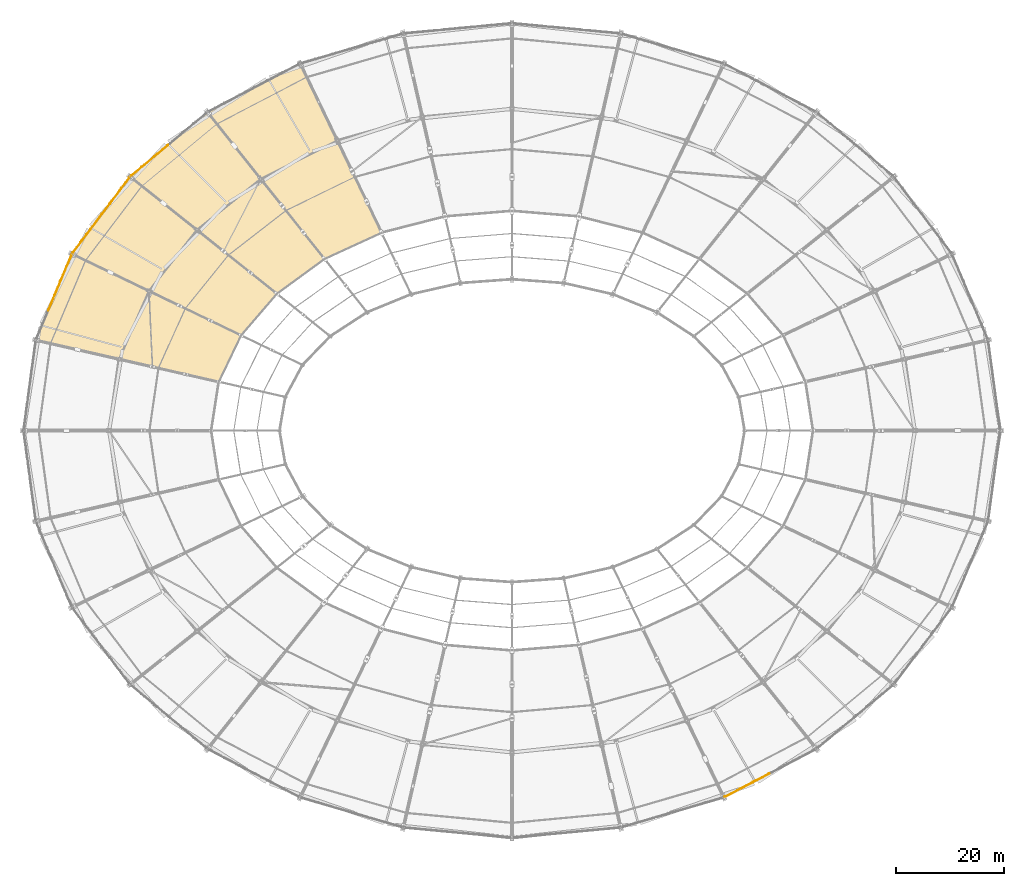
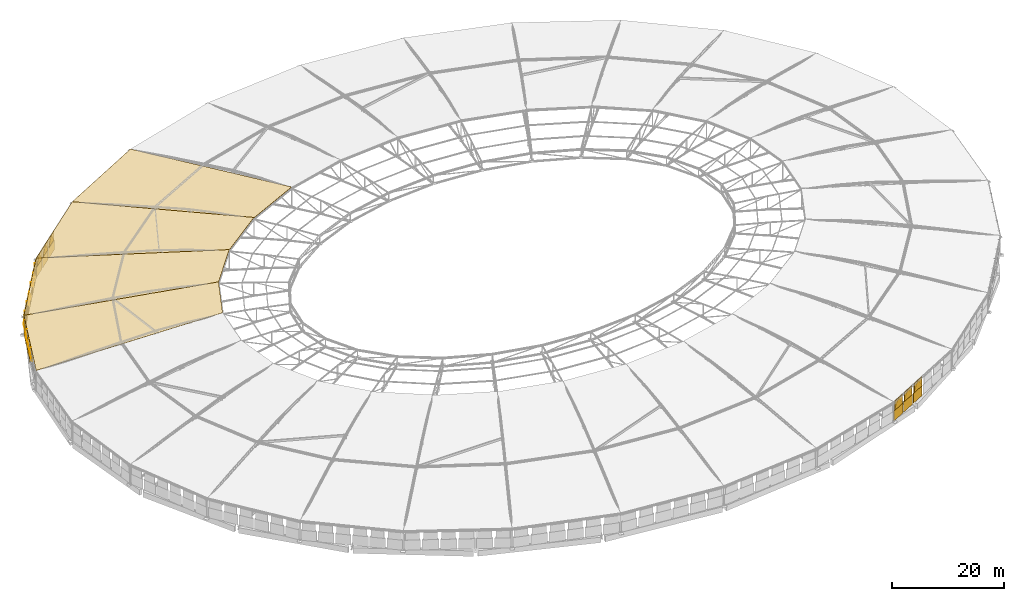
# One storey, part 103 of 108: 35 coverings, 16 shading devices.
"""IFC4 building model written with IfcOpenShell, lengths in metres."""

from ifc_helpers import new_model, si_unit, direction, frame, origin, origin_2d, place, context, subcontext, project, spatial, polyline, rectangle, outline, extrude, material, layer, layer_set, type_object, element, save


model = new_model("IFC4")

# Units and contexts
model_context = context("Model", 3, precision=1e-05, world=origin(), true_north=direction((0.0, 1.0)))
body_context = subcontext(model_context, "Body", "Model", "MODEL_VIEW")
ifc_project = project(units=[si_unit("LENGTHUNIT", "METRE"), si_unit("AREAUNIT", "SQUARE_METRE"), si_unit("VOLUMEUNIT", "CUBIC_METRE"), si_unit("PLANEANGLEUNIT", "RADIAN"), si_unit("MASSUNIT", "GRAM", prefix="KILO")], contexts=[model_context])

# Site, building, storey
site_placement = place(None, origin())
site = spatial("IfcSite", under=ifc_project, at=site_placement, CompositionType="ELEMENT")
building_placement = place(site_placement, origin())
building = spatial("IfcBuilding", under=site, at=building_placement, Name="Zevraka Park Crest Stadium", CompositionType="ELEMENT")
storey_placement = place(building_placement, frame((0.0, 0.0, 29.39990234375)))
storey = spatial("IfcBuildingStorey", under=building, at=storey_placement, Name="RF", CompositionType="ELEMENT", Elevation=29.39990234375)

# Coverings
ifc_material_1 = material(Name="Architectural golden-bronze perforated aluminium", Category="aluminium")
ifc_layer_1 = layer(ifc_material_1, 0.034912109375)
ifc_layer_set_1 = layer_set([ifc_layer_1], Name="Architectural golden-bronze perforated aluminium")
covering_type_1 = type_object("IfcCoveringType", Name="CLD01", PredefinedType="CLADDING", material=ifc_layer_set_1)
covering_1_placement = place(storey_placement, frame((48.455078125, 144.8310546875, 0.0), z_axis=(-0.640293732957, 0.768130155336, 0.0), x_axis=(-0.768130155336, -0.640293732957, 0.0)))
element("IfcCovering", 1, at=covering_1_placement, inside=storey, type_object=covering_type_1, Name="Canopy Crown Perforated Bronze Fascia 11-4A", PredefinedType="CLADDING", context=body_context, shape_type="SweptSolid", body=[
    extrude(outline(polyline([(0.0, 0.0), (2.855134926211494, 0.0), (2.855134926211494, 2.2001953125), (0.0, 2.2001953125), (0.0, 0.0)])), origin(), (0.0, 0.0, -1.0), 0.044921875),
])
covering_2_placement = place(storey_placement, frame((48.455078125, 144.8310546875, 2.2001953125), z_axis=(0.640293721206, -0.768130141238, 0.000191589982), x_axis=(-0.768130155336, -0.640293732957, 0.0)))
element("IfcCovering", 2, at=covering_2_placement, inside=storey, type_object=covering_type_1, Name="Canopy Crown Triangular Bronze Screen 11-4B", PredefinedType="CLADDING", context=body_context, shape_type="SweptSolid", body=[
    extrude(outline(polyline([(0.0, 0.0), (2.855134926211494, -5.421010862427522e-20), (1.4280362925462593, -2.0397949593120925), (0.0, 0.0)])), origin(), (0.0, 0.0, -1.0), 0.044921875),
])
covering_3_placement = place(storey_placement, frame((46.072021484375, 142.843994140625, 0.0), z_axis=(-0.640243276272, 0.768172211934, 0.0), x_axis=(-0.768172211934, -0.640243276272, 0.0)))
element("IfcCovering", 3, at=covering_3_placement, inside=storey, type_object=covering_type_1, Name="Canopy Crown Perforated Bronze Fascia 11-5A", PredefinedType="CLADDING", context=body_context, shape_type="SweptSolid", body=[
    extrude(outline(polyline([(0.0, 0.0), (2.8549786106584403, 0.0), (2.8549786106584403, 2.2001953125), (0.0, 2.2001953125), (0.0, 0.0)])), origin(), (0.0, 0.0, -1.0), 0.044921875),
])
covering_4_placement = place(storey_placement, frame((46.072021484375, 142.843994140625, 2.2001953125), z_axis=(-0.640243258208, 0.768172190261, 0.00023754569), x_axis=(-0.768172211934, -0.640243276272, 0.0)))
element("IfcCovering", 4, at=covering_4_placement, inside=storey, type_object=covering_type_1, Name="Canopy Crown Triangular Bronze Screen 11-5B", PredefinedType="CLADDING", context=body_context, shape_type="SweptSolid", body=[
    extrude(outline(polyline([(0.0, 0.0), (2.8549786106584403, 0.0), (1.4270986049162075, 2.03979497942573), (0.0, 0.0)])), origin(), (0.0, 0.0, -1.0), 0.044921875),
])
covering_5_placement = place(storey_placement, frame((43.68896484375, 140.85693359375, 0.0), z_axis=(-0.640487107171, 0.767968922254, 0.0), x_axis=(-0.767968922254, -0.640487107171, 0.0)))
element("IfcCovering", 5, at=covering_5_placement, inside=storey, type_object=covering_type_1, Name="Canopy Crown Perforated Bronze Fascia 11-6A", PredefinedType="CLADDING", context=body_context, shape_type="SweptSolid", body=[
    extrude(outline(polyline([(0.0, 0.0), (2.8554164500737182, 0.0), (2.8554164500737182, 2.2001953125), (0.0, 2.2001953125), (0.0, 0.0)])), origin(), (0.0, 0.0, -1.0), 0.044921875),
])
covering_6_placement = place(storey_placement, frame((43.68896484375, 140.85693359375, 2.2001953125), z_axis=(-0.640487105298, 0.767968920008, 7.6474936e-05), x_axis=(-0.767968922254, -0.640487107171, 0.0)))
element("IfcCovering", 6, at=covering_6_placement, inside=storey, type_object=covering_type_1, Name="Canopy Crown Triangular Bronze Screen 11-6B", PredefinedType="CLADDING", context=body_context, shape_type="SweptSolid", body=[
    extrude(outline(polyline([(0.0, 0.0), (2.8554164500737182, -1.3552527156068805e-20), (1.4284741321688013, 2.039794927839785), (0.0, 0.0)])), origin(), (0.0, 0.0, -1.0), 0.044921875),
])
covering_7_placement = place(storey_placement, frame((41.3291015625, 138.85400390625, 0.0), z_axis=(-0.798693974654, 0.601737430157, 0.0), x_axis=(-0.601737430157, -0.798693974654, 0.0)))
element("IfcCovering", 7, at=covering_7_placement, inside=storey, type_object=covering_type_1, Name="Canopy Crown Perforated Bronze Fascia 12-1A", PredefinedType="CLADDING", context=body_context, shape_type="SweptSolid", body=[
    extrude(outline(polyline([(0.0, 0.0), (2.7406803021130823, 0.0), (2.7406803021130823, 2.2001953125), (0.0, 2.2001953125), (0.0, 0.0)])), origin(), (0.0, 0.0, -1.0), 0.044921875),
])
covering_8_placement = place(storey_placement, frame((41.3291015625, 138.85400390625, 2.2001953125), z_axis=(0.798693916065, -0.601737386016, 0.000383029271), x_axis=(-0.601737430157, -0.798693974654, 0.0)))
element("IfcCovering", 8, at=covering_8_placement, inside=storey, type_object=covering_type_1, Name="Canopy Crown Triangular Bronze Screen 12-1B", PredefinedType="CLADDING", context=body_context, shape_type="SweptSolid", body=[
    extrude(outline(polyline([(0.0, 0.0), (2.7406803021130823, 0.0), (1.3703174351449408, -2.0397950715056243), (0.0, 0.0)])), origin(), (0.0, 0.0, -1.0), 0.044921875),
])
covering_9_placement = place(storey_placement, frame((39.535888671875, 136.47412109375, 0.0), z_axis=(-0.798769034378, 0.601637789471, 0.0), x_axis=(-0.601637789471, -0.798769034378, 0.0)))
element("IfcCovering", 9, at=covering_9_placement, inside=storey, type_object=covering_type_1, Name="Canopy Crown Perforated Bronze Fascia 12-2A", PredefinedType="CLADDING", context=body_context, shape_type="SweptSolid", body=[
    extrude(outline(polyline([(0.0, 0.0), (2.740728408532874, 0.0), (2.740728408532874, 2.2001953125), (0.0, 2.2001953125), (0.0, 0.0)])), origin(), (0.0, 0.0, -1.0), 0.044921875),
])
covering_10_placement = place(storey_placement, frame((39.535888671875, 136.47412109375, 2.2001953125), z_axis=(-0.798769031613, 0.601637787389, 8.3193463e-05), x_axis=(-0.601637789471, -0.798769034378, 0.0)))
element("IfcCovering", 10, at=covering_10_placement, inside=storey, type_object=covering_type_1, Name="Canopy Crown Triangular Bronze Screen 12-2B", PredefinedType="CLADDING", context=body_context, shape_type="SweptSolid", body=[
    extrude(outline(polyline([(0.0, 0.0), (2.740728408532874, 0.0), (1.3697779178576215, 2.0397949289338655), (0.0, 0.0)])), origin(), (0.0, 0.0, -1.0), 0.044921875),
])
covering_11_placement = place(storey_placement, frame((37.742919921875, 134.093994140625, 0.0), z_axis=(-0.798736787281, 0.601680600189, 0.0), x_axis=(-0.601680600189, -0.798736787281, 0.0)))
element("IfcCovering", 11, at=covering_11_placement, inside=storey, type_object=covering_type_1, Name="Canopy Crown Perforated Bronze Fascia 12-3A", PredefinedType="CLADDING", context=body_context, shape_type="SweptSolid", body=[
    extrude(outline(polyline([(0.0, 0.0), (2.7405334004978643, 0.0), (2.7405334004978643, 2.2001953125), (0.0, 2.2001953125), (0.0, 0.0)])), origin(), (0.0, 0.0, -1.0), 0.044921875),
])
covering_12_placement = place(storey_placement, frame((37.742919921875, 134.093994140625, 2.2001953125), z_axis=(0.798736742401, -0.601680566381, 0.00033522856), x_axis=(-0.601680600189, -0.798736787281, 0.0)))
element("IfcCovering", 12, at=covering_12_placement, inside=storey, type_object=covering_type_1, Name="Canopy Crown Triangular Bronze Screen 12-3B", PredefinedType="CLADDING", context=body_context, shape_type="SweptSolid", body=[
    extrude(outline(polyline([(0.0, 0.0), (2.7405334004978643, -1.0842021724855044e-19), (1.3701704814075786, -2.0397950364892377), (0.0, 0.0)])), origin(), (0.0, 0.0, -1.0), 0.044921875),
])
covering_13_placement = place(storey_placement, frame((35.949951171875, 131.715087890625, 0.0), z_axis=(-0.798769034378, 0.601637789471, 0.0), x_axis=(-0.601637789471, -0.798769034378, 0.0)))
element("IfcCovering", 13, at=covering_13_placement, inside=storey, type_object=covering_type_1, Name="Canopy Crown Perforated Bronze Fascia 12-4A", PredefinedType="CLADDING", context=body_context, shape_type="SweptSolid", body=[
    extrude(outline(polyline([(0.0, 0.0), (2.740728408532874, 0.0), (2.740728408532874, 2.2001953125), (0.0, 2.2001953125), (0.0, 0.0)])), origin(), (0.0, 0.0, -1.0), 0.044921875),
])
covering_14_placement = place(storey_placement, frame((35.949951171875, 131.715087890625, 2.2001953125), z_axis=(-0.798768998619, 0.601637762538, 0.000299221381), x_axis=(-0.601637789471, -0.798769034378, 0.0)))
element("IfcCovering", 14, at=covering_14_placement, inside=storey, type_object=covering_type_1, Name="Canopy Crown Triangular Bronze Screen 12-4B", PredefinedType="CLADDING", context=body_context, shape_type="SweptSolid", body=[
    extrude(outline(polyline([(0.0, 0.0), (2.740728408532874, 0.0), (1.3703629537714723, 2.0397950131899294), (0.0, 0.0)])), origin(), (0.0, 0.0, -1.0), 0.044921875),
])
covering_15_placement = place(storey_placement, frame((34.156982421875, 129.3349609375, 0.0), z_axis=(-0.798736787281, 0.601680600189, 0.0), x_axis=(-0.601680600189, -0.798736787281, 0.0)))
element("IfcCovering", 15, at=covering_15_placement, inside=storey, type_object=covering_type_1, Name="Canopy Crown Perforated Bronze Fascia 12-5A", PredefinedType="CLADDING", context=body_context, shape_type="SweptSolid", body=[
    extrude(outline(polyline([(0.0, 0.0), (2.7405334004978643, 0.0), (2.7405334004978643, 2.2001953125), (0.0, 2.2001953125), (0.0, 0.0)])), origin(), (0.0, 0.0, -1.0), 0.044921875),
])
covering_16_placement = place(storey_placement, frame((34.156982421875, 129.3349609375, 2.2001953125), z_axis=(0.798736786392, -0.60168059952, 4.7170841e-05), x_axis=(-0.601680600189, -0.798736787281, 0.0)))
element("IfcCovering", 16, at=covering_16_placement, inside=storey, type_object=covering_type_1, Name="Canopy Crown Triangular Bronze Screen 12-5B", PredefinedType="CLADDING", context=body_context, shape_type="SweptSolid", body=[
    extrude(outline(polyline([(0.0, 0.0), (2.740533400497864, -1.3552527156068805e-20), (1.3709504978014075, -2.039794924144362), (0.0, 0.0)])), origin(), (0.0, 0.0, -1.0), 0.044921875),
])
covering_17_placement = place(storey_placement, frame((32.364013671875, 126.955078125, 0.0), z_axis=(-0.798736787281, 0.601680600189, 0.0), x_axis=(-0.601680600189, -0.798736787281, 0.0)))
element("IfcCovering", 17, at=covering_17_placement, inside=storey, type_object=covering_type_1, Name="Canopy Crown Perforated Bronze Fascia 12-6A", PredefinedType="CLADDING", context=body_context, shape_type="SweptSolid", body=[
    extrude(outline(polyline([(0.0, 0.0), (2.7405334004978643, 0.0), (2.7405334004978643, 2.2001953125), (0.0, 2.2001953125), (0.0, 0.0)])), origin(), (0.0, 0.0, -1.0), 0.044921875),
])
covering_18_placement = place(storey_placement, frame((32.364013671875, 126.955078125, 2.2001953125), z_axis=(0.798736786392, -0.60168059952, 4.7170841e-05), x_axis=(-0.601680600189, -0.798736787281, 0.0)))
element("IfcCovering", 18, at=covering_18_placement, inside=storey, type_object=covering_type_1, Name="Canopy Crown Triangular Bronze Screen 12-6B", PredefinedType="CLADDING", context=body_context, shape_type="SweptSolid", body=[
    extrude(outline(polyline([(0.0, 0.0), (2.740533400497864, -1.3552527156068805e-20), (1.3709504978014075, -2.039794924144362), (0.0, 0.0)])), origin(), (0.0, 0.0, -1.0), 0.044921875),
])
covering_19_placement = place(storey_placement, frame((30.597900390625, 124.56494140625, 0.0), z_axis=(-0.922096698468, 0.386959531056, 0.0), x_axis=(-0.386959531056, -0.922096698468, 0.0)))
element("IfcCovering", 19, at=covering_19_placement, inside=storey, type_object=covering_type_1, Name="Canopy Crown Perforated Bronze Fascia 13-1A", PredefinedType="CLADDING", context=body_context, shape_type="SweptSolid", body=[
    extrude(outline(polyline([(0.0, 0.0), (2.6460797553062623, 0.0), (2.6460797553062623, 2.2001953125), (0.0, 2.2001953125), (0.0, 0.0)])), origin(), (0.0, 0.0, -1.0), 0.044921875),
])
covering_20_placement = place(storey_placement, frame((30.597900390625, 124.56494140625, 2.2001953125), z_axis=(-0.922096698468, 0.386959531056, 0.0), x_axis=(-0.386959531056, -0.922096698468, 0.0)))
element("IfcCovering", 20, at=covering_20_placement, inside=storey, type_object=covering_type_1, Name="Canopy Crown Triangular Bronze Screen 13-1B", PredefinedType="CLADDING", context=body_context, shape_type="SweptSolid", body=[
    extrude(outline(polyline([(0.0, 0.0), (2.6460797553062623, 0.0), (1.3230398776531311, 2.0397949218750004), (0.0, 0.0)])), origin(), (0.0, 0.0, -1.0), 0.044921875),
])
covering_21_placement = place(storey_placement, frame((29.485107421875, 121.912109375, 0.0), z_axis=(-0.922077593739, 0.3870050531, 0.0), x_axis=(-0.3870050531, -0.922077593739, 0.0)))
element("IfcCovering", 21, at=covering_21_placement, inside=storey, type_object=covering_type_1, Name="Canopy Crown Perforated Bronze Fascia 13-2A", PredefinedType="CLADDING", context=body_context, shape_type="SweptSolid", body=[
    extrude(outline(polyline([(0.0, 0.0), (2.6463993523372635, 0.0), (2.6463993523372635, 2.2001953125), (0.0, 2.2001953125), (0.0, 0.0)])), origin(), (0.0, 0.0, -1.0), 0.044921875),
])
covering_22_placement = place(storey_placement, frame((29.485107421875, 121.912109375, 2.2001953125), z_axis=(0.922077593266, -0.387005052902, 3.2021098e-05), x_axis=(-0.3870050531, -0.922077593739, 0.0)))
element("IfcCovering", 22, at=covering_22_placement, inside=storey, type_object=covering_type_1, Name="Canopy Crown Triangular Bronze Screen 13-2B", PredefinedType="CLADDING", context=body_context, shape_type="SweptSolid", body=[
    extrude(outline(polyline([(0.0, 0.0), (2.6463993523372635, -3.3881317890172014e-21), (1.3233594762964196, -2.039794922920753), (0.0, 0.0)])), origin(), (0.0, 0.0, -1.0), 0.044921875),
])
covering_23_placement = place(storey_placement, frame((28.3720703125, 119.260009765625, 0.0), z_axis=(-0.922063774842, 0.387037976332, 0.0), x_axis=(-0.387037976332, -0.922063774842, 0.0)))
element("IfcCovering", 23, at=covering_23_placement, inside=storey, type_object=covering_type_1, Name="Canopy Crown Perforated Bronze Fascia 13-3A", PredefinedType="CLADDING", context=body_context, shape_type="SweptSolid", body=[
    extrude(outline(polyline([(0.0, 0.0), (2.646174237424035, 0.0), (2.646174237424035, 2.2001953125), (0.0, 2.2001953125), (0.0, 0.0)])), origin(), (0.0, 0.0, -1.0), 0.044921875),
])
covering_24_placement = place(storey_placement, frame((28.3720703125, 119.260009765625, 2.2001953125), z_axis=(-0.922063773439, 0.387037975743, 5.5180357e-05), x_axis=(-0.387037976332, -0.922063774842, 0.0)))
element("IfcCovering", 24, at=covering_24_placement, inside=storey, type_object=covering_type_1, Name="Canopy Crown Triangular Bronze Screen 13-3B", PredefinedType="CLADDING", context=body_context, shape_type="SweptSolid", body=[
    extrude(outline(polyline([(0.0, 0.0), (2.646174237424035, 0.0), (1.3230398728652972, 2.039794924980457), (0.0, 0.0)])), origin(), (0.0, 0.0, -1.0), 0.044921875),
])
covering_25_placement = place(storey_placement, frame((27.259033203125, 116.60693359375, 2.2001953125), z_axis=(-0.922096698468, 0.386959531056, 0.0), x_axis=(-0.386959531056, -0.922096698468, 0.0)))
element("IfcCovering", 25, at=covering_25_placement, inside=storey, type_object=covering_type_1, Name="Canopy Crown Triangular Bronze Screen 13-4B", PredefinedType="CLADDING", context=body_context, shape_type="SweptSolid", body=[
    extrude(outline(polyline([(0.0, 0.0), (2.6460797553062623, 0.0), (1.3230398776531311, 2.0397949218750004), (0.0, 0.0)])), origin(), (0.0, 0.0, -1.0), 0.044921875),
])
covering_26_placement = place(storey_placement, frame((151.2939453125, 24.217041015625, 0.0), z_axis=(0.464006994671, -0.88583153528, 0.0), x_axis=(0.88583153528, 0.464006994671, 0.0)))
element("IfcCovering", 26, at=covering_26_placement, inside=storey, type_object=covering_type_1, Name="Canopy Crown Perforated Bronze Fascia 24-1A", PredefinedType="CLADDING", context=body_context, shape_type="SweptSolid", body=[
    extrude(outline(polyline([(0.0, 0.0), (2.9633173977824248, 0.0), (2.9633173977824248, 2.2001953125), (0.0, 2.2001953125), (0.0, 0.0)])), origin(), (0.0, 0.0, -1.0), 0.044921875),
])
covering_27_placement = place(storey_placement, frame((151.2939453125, 24.217041015625, 2.2001953125), z_axis=(-0.464006992305, 0.885831530764, 0.000100975353), x_axis=(0.88583153528, 0.464006994671, 0.0)))
element("IfcCovering", 27, at=covering_27_placement, inside=storey, type_object=covering_type_1, Name="Canopy Crown Triangular Bronze Screen 24-1B", PredefinedType="CLADDING", context=body_context, shape_type="SweptSolid", body=[
    extrude(outline(polyline([(0.0, 0.0), (2.963317397782425, 0.0), (1.4809995980465098, -2.0397949322738973), (0.0, 0.0)])), origin(), (0.0, 0.0, -1.0), 0.044921875),
])
covering_28_placement = place(storey_placement, frame((154.14794921875, 25.7119140625, 0.0), z_axis=(0.464265532752, -0.885696062483, 0.0), x_axis=(0.885696062483, 0.464265532752, 0.0)))
element("IfcCovering", 28, at=covering_28_placement, inside=storey, type_object=covering_type_1, Name="Canopy Crown Perforated Bronze Fascia 24-2A", PredefinedType="CLADDING", context=body_context, shape_type="SweptSolid", body=[
    extrude(outline(polyline([(0.0, 0.0), (2.9637706558621093, 0.0), (2.9637706558621093, 2.2001953125), (0.0, 2.2001953125), (0.0, 0.0)])), origin(), (0.0, 0.0, -1.0), 0.044921875),
])
covering_29_placement = place(storey_placement, frame((154.14794921875, 25.7119140625, 2.2001953125), z_axis=(0.464265529885, -0.885696057014, 0.000111134777), x_axis=(0.885696062483, 0.464265532752, 0.0)))
element("IfcCovering", 29, at=covering_29_placement, inside=storey, type_object=covering_type_1, Name="Canopy Crown Triangular Bronze Screen 24-2B", PredefinedType="CLADDING", context=body_context, shape_type="SweptSolid", body=[
    extrude(outline(polyline([(0.0, 0.0), (2.9637706558621093, 0.0), (1.4814528591505454, 2.0397949344716912), (0.0, 0.0)])), origin(), (0.0, 0.0, -1.0), 0.044921875),
])
covering_30_placement = place(storey_placement, frame((157.0009765625, 27.20703125, 0.0), z_axis=(0.464265532752, -0.885696062483, 0.0), x_axis=(0.885696062483, 0.464265532752, 0.0)))
element("IfcCovering", 30, at=covering_30_placement, inside=storey, type_object=covering_type_1, Name="Canopy Crown Perforated Bronze Fascia 24-3A", PredefinedType="CLADDING", context=body_context, shape_type="SweptSolid", body=[
    extrude(outline(polyline([(0.0, 0.0), (2.9637706558621093, 0.0), (2.9637706558621093, 2.2001953125), (0.0, 2.2001953125), (0.0, 0.0)])), origin(), (0.0, 0.0, -1.0), 0.044921875),
])
covering_31_placement = place(storey_placement, frame((157.0009765625, 27.20703125, 2.2001953125), z_axis=(-0.464265529885, 0.885696057014, 0.000111134777), x_axis=(0.885696062483, 0.464265532752, 0.0)))
element("IfcCovering", 31, at=covering_31_placement, inside=storey, type_object=covering_type_1, Name="Canopy Crown Triangular Bronze Screen 24-3B", PredefinedType="CLADDING", context=body_context, shape_type="SweptSolid", body=[
    extrude(outline(polyline([(0.0, 0.0), (2.9637706558621093, 0.0), (1.482317796711564, -2.0397949344716912), (0.0, 0.0)])), origin(), (0.0, 0.0, -1.0), 0.044921875),
])

# Shading devices
ifc_material_2 = material(Name="Terracotta and bronze acoustic ventilation louvre", Category="masonry")
ifc_layer_2 = layer(ifc_material_2, 0.080078125)
ifc_layer_set_2 = layer_set([ifc_layer_2], Name="Terracotta and bronze acoustic ventilation louvre")
shading_device_type = type_object("IfcShadingDeviceType", Name="LVR01", PredefinedType="USERDEFINED", material=ifc_layer_set_2)
for number, where, z_axis, x_axis, name in (
    (32, (47.35791015625, 143.9169921875, 2.22021484375), (0.0, 0.0, 1.0), (-0.768060036355, -0.640377842023, 0.0), "Canopy Crown Acoustic Wind Louvre 11-4"),
    (33, (44.97607421875, 141.929931640625, 2.22021484375), (0.0, 0.0, 1.0), (-0.768060036355, -0.640377842023, 0.0), "Canopy Crown Acoustic Wind Louvre 11-5"),
    (34, (42.592041015625, 139.94189453125, 2.22021484375), (0.0, 0.0, 1.0), (-0.768060036355, -0.640377842023, 0.0), "Canopy Crown Acoustic Wind Louvre 11-6"),
):
    element("IfcShadingDevice", number, at=place(storey_placement, frame(where, z_axis=z_axis, x_axis=x_axis)), inside=storey, type_object=shading_device_type, Name=name, ObjectType="LOUVRE", PredefinedType="USERDEFINED", context=body_context, shape_type="SweptSolid", body=[
        extrude(rectangle(XDim=2.426025390625, YDim=0.1201171875, at=origin_2d()), origin(), (0.0, 0.0, 1.0), 2.0),
    ])
for number, where, z_axis, x_axis, name in (
    (35, (40.50390625, 137.760009765625, 2.22021484375), (0.0, 0.0, 1.0), (-0.601815023152, -0.798635510047, 0.0), "Canopy Crown Acoustic Wind Louvre 12-1"),
    (36, (38.7119140625, 135.3798828125, 2.22021484375), (0.0, 0.0, 1.0), (-0.601815023152, -0.798635510047, 0.0), "Canopy Crown Acoustic Wind Louvre 12-2"),
    (37, (36.91796875, 133.0, 2.22021484375), (0.0, 0.0, 1.0), (-0.601815023152, -0.798635510047, 0.0), "Canopy Crown Acoustic Wind Louvre 12-3"),
    (38, (35.1259765625, 130.6201171875, 2.22021484375), (0.0, 0.0, 1.0), (-0.601815023152, -0.798635510047, 0.0), "Canopy Crown Acoustic Wind Louvre 12-4"),
    (39, (33.33203125, 128.239990234375, 2.22021484375), (0.0, 0.0, 1.0), (-0.601815023152, -0.798635510047, 0.0), "Canopy Crown Acoustic Wind Louvre 12-5"),
    (40, (31.5390625, 125.860107421875, 2.22021484375), (0.0, 0.0, 1.0), (-0.601815023152, -0.798635510047, 0.0), "Canopy Crown Acoustic Wind Louvre 12-6"),
):
    element("IfcShadingDevice", number, at=place(storey_placement, frame(where, z_axis=z_axis, x_axis=x_axis)), inside=storey, type_object=shading_device_type, Name=name, ObjectType="LOUVRE", PredefinedType="USERDEFINED", context=body_context, shape_type="SweptSolid", body=[
        extrude(rectangle(XDim=2.330078125, YDim=0.1201171875, at=origin_2d()), origin(), (0.0, 0.0, 1.0), 2.0),
    ])
for number, where, z_axis, x_axis, name in (
    (41, (30.0859375, 123.344970703125, 2.22021484375), (0.0, 0.0, 1.0), (-0.387032846937, -0.922065927899, 0.0), "Canopy Crown Acoustic Wind Louvre 13-1"),
    (42, (28.972900390625, 120.69189453125, 2.22021484375), (0.0, 0.0, 1.0), (-0.387032846937, -0.922065927899, 0.0), "Canopy Crown Acoustic Wind Louvre 13-2"),
    (43, (27.860107421875, 118.0400390625, 2.22021484375), (0.0, 0.0, 1.0), (-0.387032846937, -0.922065927899, 0.0), "Canopy Crown Acoustic Wind Louvre 13-3"),
    (44, (26.7470703125, 115.386962890625, 2.22021484375), (0.0, 0.0, 1.0), (-0.387032846937, -0.922065927899, 0.0), "Canopy Crown Acoustic Wind Louvre 13-4"),
):
    element("IfcShadingDevice", number, at=place(storey_placement, frame(where, z_axis=z_axis, x_axis=x_axis)), inside=storey, type_object=shading_device_type, Name=name, ObjectType="LOUVRE", PredefinedType="USERDEFINED", context=body_context, shape_type="SweptSolid", body=[
        extrude(rectangle(XDim=2.25, YDim=0.1201171875, at=origin_2d()), origin(), (0.0, 0.0, 1.0), 2.0),
    ])
for number, where, z_axis, x_axis, name in (
    (45, (152.60595703125, 24.904052734375, 2.22021484375), (0.0, 0.0, 1.0), (0.88579893978, 0.464069217127, 0.0), "Canopy Crown Acoustic Wind Louvre 24-1"),
    (46, (155.4599609375, 26.39990234375, 2.22021484375), (0.0, 0.0, 1.0), (0.88579893978, 0.464069217127, 0.0), "Canopy Crown Acoustic Wind Louvre 24-2"),
    (47, (158.31396484375, 27.89501953125, 2.22021484375), (0.0, 0.0, 1.0), (0.88579893978, 0.464069217127, 0.0), "Canopy Crown Acoustic Wind Louvre 24-3"),
):
    element("IfcShadingDevice", number, at=place(storey_placement, frame(where, z_axis=z_axis, x_axis=x_axis)), inside=storey, type_object=shading_device_type, Name=name, ObjectType="LOUVRE", PredefinedType="USERDEFINED", context=body_context, shape_type="SweptSolid", body=[
        extrude(rectangle(XDim=2.51904296875, YDim=0.1201171875, at=origin_2d()), origin(), (0.0, 0.0, 1.0), 2.0),
    ])

# Coverings
ifc_material_3 = material(Name="Insulated standing-seam acoustic aluminium roofing", Category="aluminium")
ifc_layer_3 = layer(ifc_material_3, 0.06005859375)
ifc_layer_set_3 = layer_set([ifc_layer_3], Name="Insulated standing-seam acoustic aluminium roofing")
covering_type_2 = type_object("IfcCoveringType", Name="RCV01", PredefinedType="ROOFING", material=ifc_layer_set_3)
covering_32_placement = place(storey_placement, frame((72.820068359375, 159.843017578125, 4.300048828125), z_axis=(-0.072021192578, 0.137457369919, 0.987885833118), x_axis=(-0.885773090192, -0.464118554561, 2.107057e-06)))
element("IfcCovering", 48, at=covering_32_placement, inside=storey, type_object=covering_type_2, Name="Canopy Acoustic Standing-Seam Roofing OUTER-10", PredefinedType="ROOFING", context=body_context, shape_type="SweptSolid", body=[
    extrude(outline(polyline([(0.0, 0.0), (19.328987196364277, -8.881784197001252e-16), (12.756884324081861, 34.49017194530255), (1.1740566551036096, 35.10573215366615), (0.0, 0.0)])), origin(), (0.0, 0.0, -1.0), 0.06005859375),
])
covering_33_placement = place(storey_placement, frame((55.698974609375, 150.8720703125, 4.300048828125), z_axis=(-0.099486559587, 0.119302637189, 0.987860974642), x_axis=(-0.768009420077, -0.640438545587, -6.14953e-07)))
element("IfcCovering", 49, at=covering_33_placement, inside=storey, type_object=covering_type_2, Name="Canopy Acoustic Standing-Seam Roofing OUTER-11", PredefinedType="ROOFING", context=body_context, shape_type="SweptSolid", body=[
    extrude(outline(polyline([(0.0, 0.0), (18.61708226015734, 0.0), (11.637530102621575, 34.408124214685195), (0.7592843892196728, 35.11839210854258), (0.0, 0.0)])), origin(), (0.0, 0.0, -1.0), 0.06005859375),
])
covering_34_placement = place(storey_placement, frame((41.40087890625, 138.948974609375, 4.300048828125), z_axis=(-0.124003879913, 0.093437799611, 0.987872671639), x_axis=(-0.601762579493, -0.79867502646, 5.610473e-06)))
element("IfcCovering", 50, at=covering_34_placement, inside=storey, type_object=covering_type_2, Name="Canopy Acoustic Standing-Seam Roofing OUTER-12", PredefinedType="ROOFING", context=body_context, shape_type="SweptSolid", body=[
    extrude(outline(polyline([(0.0, 0.0), (17.877191864068372, 0.0), (11.0883527096382, 34.4461793855873), (0.9540650648931299, 35.112317023755686), (0.0, 0.0)])), origin(), (0.0, 0.0, -1.0), 0.06005859375),
])
covering_35_placement = place(storey_placement, frame((30.64306640625, 124.6708984375, 4.300048828125), z_axis=(-0.142925763867, 0.059976486424, 0.98791449382), x_axis=(-0.386972793874, -0.922091132578, -4.652088e-06)))
element("IfcCovering", 51, at=covering_35_placement, inside=storey, type_object=covering_type_2, Name="Canopy Acoustic Standing-Seam Roofing OUTER-13", PredefinedType="ROOFING", context=body_context, shape_type="SweptSolid", body=[
    extrude(outline(polyline([(0.0, 0.0), (17.259465181005595, 8.881784197001252e-16), (11.288757466728136, 34.600612161760345), (1.7840866490528575, 35.07706488869247), (0.0, 0.0)])), origin(), (0.0, 0.0, -1.0), 0.06005859375),
])

save(model, "model.ifc")
